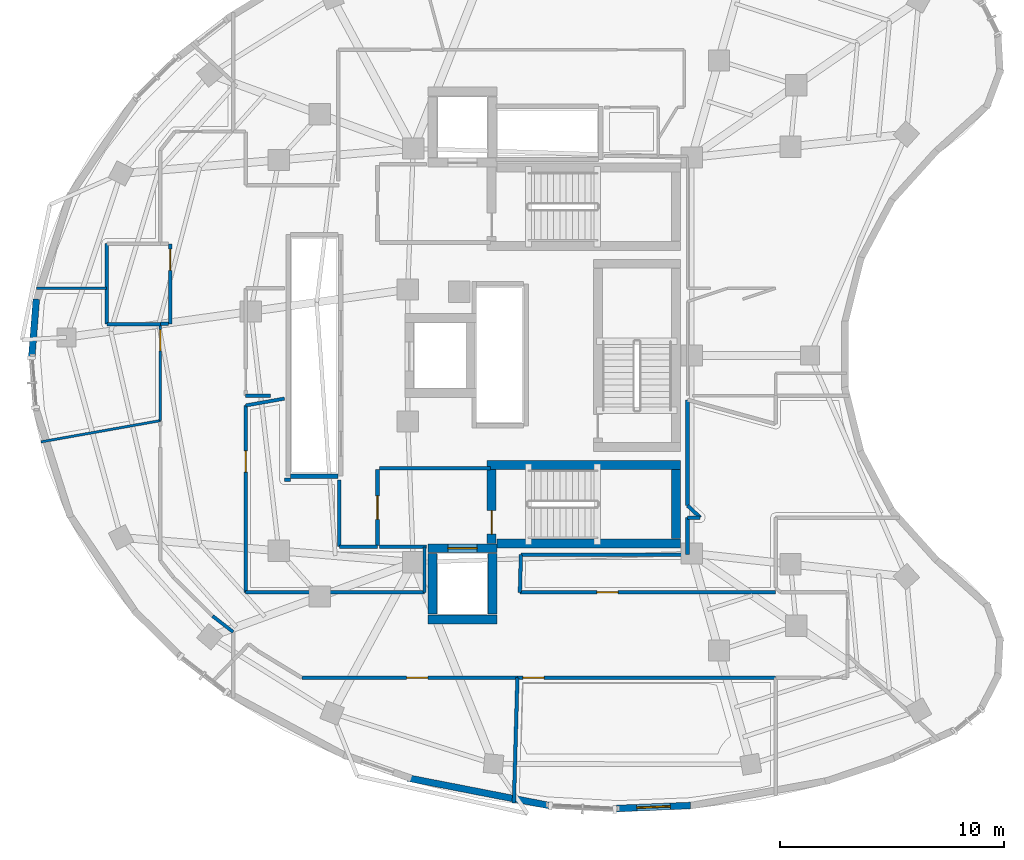
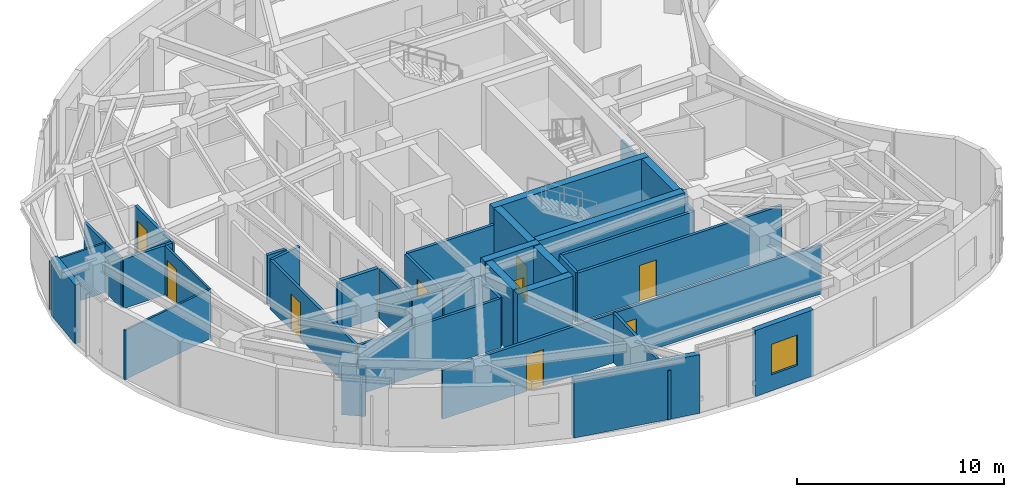
# One storey, part 7 of 13: 41 walls, 9 doors, 1 window, 10 openings.
"""IFC4 building model written with IfcOpenShell, lengths in metres."""

from ifc_helpers import new_model, si_unit, direction, frame, frame_2d, origin, place, context, subcontext, project, spatial, rectangle, extrude, material, layer, layer_set, type_object, element, fill, save


model = new_model("IFC4")

# Units and contexts
model_context = context("Model", 3, precision=1e-05, world=origin(), true_north=direction((0.0, 1.0)))
body_context = subcontext(model_context, "Body", "Model", "MODEL_VIEW")
ifc_project = project(units=[si_unit("LENGTHUNIT", "METRE"), si_unit("AREAUNIT", "SQUARE_METRE"), si_unit("VOLUMEUNIT", "CUBIC_METRE"), si_unit("PLANEANGLEUNIT", "RADIAN"), si_unit("MASSUNIT", "GRAM", prefix="KILO")], contexts=[model_context])

# Site, building, storey
site_placement = place(None, origin())
site = spatial("IfcSite", under=ifc_project, at=site_placement, CompositionType="ELEMENT")
building_placement = place(site_placement, origin())
building = spatial("IfcBuilding", under=site, at=building_placement, Name="Korentha Bioscience Tower", CompositionType="ELEMENT")
storey_placement = place(building_placement, frame((0.0, 0.0, 260.39990234375)))
storey = spatial("IfcBuildingStorey", under=building, at=storey_placement, Name="L60", CompositionType="ELEMENT", Elevation=260.39990234375)

# Wall, opening, door
ifc_material_1 = material(Name="Double-Stud Acoustic Gypsum", Category="gypsum")
ifc_layer_1 = layer(ifc_material_1, 0.14990234375, Name="Double-Stud Acoustic Gypsum")
ifc_layer_set_1 = layer_set([ifc_layer_1], Name="Double-Stud Acoustic Gypsum (IW-L150)")
wall_type_1 = type_object("IfcWallType", Name="Acoustic Laboratory Partition Wall 150", PredefinedType="PARTITIONING", material=ifc_layer_set_1)
wall_1_placement = place(storey_placement, frame((17.610107421875, 16.409912109375, 0.0), z_axis=(0.0, 0.0, 1.0), x_axis=(0.0, 1.0, 0.0)))
wall_1 = element("IfcWall", 1, at=wall_1_placement, inside=storey, type_object=wall_type_1, Name="L60 Staff Pantry Kitchenette 03 Entrance Wall", PredefinedType="PARTITIONING", context=body_context, shape_type="SweptSolid", body=[
    extrude(rectangle(XDim=8.352783203125, YDim=0.14990234375, at=frame_2d((4.17626953125, 0.0))), origin(), (0.0, 0.0, 1.0), 2.91015625),
])
opening_1_placement = place(wall_1_placement, frame((5.371337890625, 0.0, 0.0)))
opening_1 = element("IfcOpeningElement", 2, at=opening_1_placement, cuts=wall_1, Name="Opening ID-10L", PredefinedType="OPENING", context=body_context, shape_type="SweptSolid", body=[
    extrude(rectangle(XDim=0.949951171875, YDim=2.14990234375, at=frame_2d((0.47509765625, 1.074951171875))), frame((0.0, 0.08984375, 0.0), z_axis=(0.0, -1.0, 0.0), x_axis=(1.0, 0.0, 0.0)), (0.0, 0.0, 1.0), 0.1796875),
])
ifc_material_2 = material(Name="Phenolic Laminate Timber Core", Category="wood")
door_type_1 = type_object("IfcDoorType", Name="Laboratory Single Leaf Door 950x2150 Left", OperationType="SINGLE_SWING_LEFT", PredefinedType="DOOR", material=ifc_material_2)
door_1_placement = place(opening_1_placement, origin())
door_1 = element("IfcDoor", 3, at=door_1_placement, inside=storey, type_object=door_type_1, Name="L60 Staff Pantry Kitchenette 03 Door", OperationType="SINGLE_SWING_LEFT", OverallHeight=2.14990234375, OverallWidth=0.949951171875, PredefinedType="DOOR", context=body_context, shape_type="SweptSolid", body=[
    extrude(rectangle(XDim=0.949951171875, YDim=2.14990234375, at=frame_2d((0.47509765625, 1.074951171875))), frame((0.0, 0.02490234375, 0.0), z_axis=(0.0, -1.0, 0.0), x_axis=(1.0, 0.0, 0.0)), (0.0, 0.0, 1.0), 0.050048828125),
])
fill(opening_1, door_1)

wall_2_placement = place(storey_placement, frame((29.764892578125, 12.590087890625, 0.0), z_axis=(0.0, 0.0, 1.0), x_axis=(1.0, 0.0, 0.0)))
wall_2 = element("IfcWall", 4, at=wall_2_placement, inside=storey, type_object=wall_type_1, Name="L60 Mass-Spectrometry Analytical Suite 05 Entrance Wall", PredefinedType="PARTITIONING", context=body_context, shape_type="SweptSolid", body=[
    extrude(rectangle(XDim=11.533203125, YDim=0.14990234375, at=frame_2d((5.7666015625, 0.0))), origin(), (0.0, 0.0, 1.0), 2.91015625),
])
opening_2_placement = place(wall_2_placement, frame((0.239990234375, 0.0, 0.0)))
opening_2 = element("IfcOpeningElement", 5, at=opening_2_placement, cuts=wall_2, Name="Opening ID-10L", PredefinedType="OPENING", context=body_context, shape_type="SweptSolid", body=[
    extrude(rectangle(XDim=0.949951171875, YDim=2.14990234375, at=frame_2d((0.47509765625, 1.074951171875))), frame((0.0, 0.08984375, 0.0), z_axis=(0.0, -1.0, 0.0), x_axis=(1.0, 0.0, 0.0)), (0.0, 0.0, 1.0), 0.1796875),
])
door_2_placement = place(opening_2_placement, origin())
door_2 = element("IfcDoor", 6, at=door_2_placement, inside=storey, type_object=door_type_1, Name="L60 Mass-Spectrometry Analytical Suite 05 Door", OperationType="SINGLE_SWING_LEFT", OverallHeight=2.14990234375, OverallWidth=0.949951171875, PredefinedType="DOOR", context=body_context, shape_type="SweptSolid", body=[
    extrude(rectangle(XDim=0.949951171875, YDim=2.14990234375, at=frame_2d((0.47509765625, 1.074951171875))), frame((0.0, 0.02490234375, 0.0), z_axis=(0.0, -1.0, 0.0), x_axis=(1.0, 0.0, 0.0)), (0.0, 0.0, 1.0), 0.050048828125),
])
fill(opening_2, door_2)

# Walls
wall_3_placement = place(storey_placement, frame((16.128173828125, 15.348876953125, 0.0), z_axis=(0.0, 0.0, 1.0), x_axis=(0.790536936783, -0.612414362651, 0.0)))
element("IfcWall", 7, at=wall_3_placement, inside=storey, type_object=wall_type_1, Name="L60 Interior Partition 027", PredefinedType="PARTITIONING", context=body_context, shape_type="SweptSolid", body=[
    extrude(rectangle(XDim=1.16357421875, YDim=0.14990234375, at=frame_2d((0.581787109375, 0.0))), origin(), (0.0, 0.0, 1.0), 2.91015625),
])
wall_4_placement = place(storey_placement, frame((19.35009765625, 21.43994140625, 0.0), z_axis=(0.0, 0.0, 1.0), x_axis=(1.0, 0.0, 0.0)))
element("IfcWall", 8, at=wall_4_placement, inside=storey, type_object=wall_type_1, Name="L60 Interior Partition 029", PredefinedType="PARTITIONING", context=body_context, shape_type="SweptSolid", body=[
    extrude(rectangle(XDim=0.27001953125, YDim=0.14990234375, at=frame_2d((0.135009765625, 0.0))), origin(), (0.0, 0.0, 1.0), 2.91015625),
])
wall_5_placement = place(storey_placement, frame((21.7900390625, 21.43994140625, 0.0), z_axis=(0.0, 0.0, 1.0), x_axis=(0.0, -1.0, 0.0)))
element("IfcWall", 9, at=wall_5_placement, inside=storey, type_object=wall_type_1, Name="L60 Interior Partition 030", PredefinedType="PARTITIONING", context=body_context, shape_type="SweptSolid", body=[
    extrude(rectangle(XDim=2.989990234375, YDim=0.14990234375, at=frame_2d((1.4951171875, 0.0))), origin(), (0.0, 0.0, 1.0), 2.91015625),
])
wall_6_placement = place(storey_placement, frame((21.800048828125, 18.43994140625, 0.0), z_axis=(0.0, 0.0, 1.0), x_axis=(1.0, 0.0, 0.0)))
element("IfcWall", 10, at=wall_6_placement, inside=storey, type_object=wall_type_1, Name="L60 Interior Partition 031", PredefinedType="PARTITIONING", context=body_context, shape_type="SweptSolid", body=[
    extrude(rectangle(XDim=1.68994140625, YDim=0.14990234375, at=frame_2d((0.844970703125, 0.0))), origin(), (0.0, 0.0, 1.0), 2.91015625),
])
wall_7_placement = place(storey_placement, frame((25.60009765625, 18.435791015625, 0.0), z_axis=(0.0, 0.0, 1.0), x_axis=(0.0, -1.0, 0.0)))
element("IfcWall", 11, at=wall_7_placement, inside=storey, type_object=wall_type_1, Name="L60 Interior Partition 032", PredefinedType="PARTITIONING", context=body_context, shape_type="SweptSolid", body=[
    extrude(rectangle(XDim=2.02587890625, YDim=0.14990234375, at=frame_2d((1.012939453125, 0.0))), origin(), (0.0, 0.0, 1.0), 2.91015625),
])
wall_8_placement = place(storey_placement, frame((25.60009765625, 16.409912109375, 0.0), z_axis=(0.0, 0.0, 1.0), x_axis=(-1.0, 0.0, 0.0)))
element("IfcWall", 12, at=wall_8_placement, inside=storey, type_object=wall_type_1, Name="L60 Interior Partition 033", PredefinedType="PARTITIONING", context=body_context, shape_type="SweptSolid", body=[
    extrude(rectangle(XDim=7.989990234375, YDim=0.14990234375, at=frame_2d((3.9951171875, 0.0))), origin(), (0.0, 0.0, 1.0), 2.91015625),
])
wall_9_placement = place(storey_placement, frame((17.610107421875, 24.7626953125, 0.0), z_axis=(0.0, 0.0, 1.0), x_axis=(0.984503916892, 0.175362589008, 0.0)))
element("IfcWall", 13, at=wall_9_placement, inside=storey, type_object=wall_type_1, Name="L60 Interior Partition 034", PredefinedType="PARTITIONING", context=body_context, shape_type="SweptSolid", body=[
    extrude(rectangle(XDim=1.757080078125, YDim=0.14990234375, at=frame_2d((0.87841796875, 0.0))), origin(), (0.0, 0.0, 1.0), 2.91015625),
])

# Wall, opening, door
ifc_material_3 = material(Name="Fire-Rated Framed Glass", Category="glass")
ifc_layer_2 = layer(ifc_material_3, 0.110107421875, Name="Fire-Rated Framed Glass")
ifc_layer_set_2 = layer_set([ifc_layer_2], Name="Fire-Rated Framed Glass (IW-G110)")
wall_type_2 = type_object("IfcWallType", Name="Demountable Glazed Office Partition 110", PredefinedType="MOVABLE", material=ifc_layer_set_2)
wall_10_placement = place(storey_placement, frame((13.7900390625, 28.389892578125, 0.0), z_axis=(0.0, 0.0, 1.0), x_axis=(0.0, -1.0, 0.0)))
wall_10 = element("IfcWall", 14, at=wall_10_placement, inside=storey, type_object=wall_type_2, Name="L60 Principal Investigator Office 01 Entrance Wall", PredefinedType="MOVABLE", context=body_context, shape_type="SweptSolid", body=[
    extrude(rectangle(XDim=4.3037109375, YDim=0.110107421875, at=frame_2d((2.15185546875, 0.0))), origin(), (0.0, 0.0, 1.0), 2.91015625),
])
opening_3_placement = place(wall_10_placement, frame((0.239990234375, 0.0, 0.0)))
opening_3 = element("IfcOpeningElement", 15, at=opening_3_placement, cuts=wall_10, Name="Opening ID-10L", PredefinedType="OPENING", context=body_context, shape_type="SweptSolid", body=[
    extrude(rectangle(XDim=0.949951171875, YDim=2.14990234375, at=frame_2d((0.47509765625, 1.074951171875))), frame((0.0, 0.06982421875, 0.0), z_axis=(0.0, -1.0, 0.0), x_axis=(1.0, 0.0, 0.0)), (0.0, 0.0, 1.0), 0.139892578125),
])
door_3_placement = place(opening_3_placement, origin())
door_3 = element("IfcDoor", 16, at=door_3_placement, inside=storey, type_object=door_type_1, Name="L60 Principal Investigator Office 01 Door", OperationType="SINGLE_SWING_LEFT", OverallHeight=2.14990234375, OverallWidth=0.949951171875, PredefinedType="DOOR", context=body_context, shape_type="SweptSolid", body=[
    extrude(rectangle(XDim=0.949951171875, YDim=2.14990234375, at=frame_2d((0.47509765625, 1.074951171875))), frame((0.0, 0.02490234375, 0.0), z_axis=(0.0, -1.0, 0.0), x_axis=(1.0, 0.0, 0.0)), (0.0, 0.0, 1.0), 0.050048828125),
])
fill(opening_3, door_3)

# Walls
wall_11_placement = place(storey_placement, frame((8.259033203125, 29.998046875, 0.0), z_axis=(0.0, 0.0, 1.0), x_axis=(1.0, 0.0, 0.0)))
element("IfcWall", 17, at=wall_11_placement, inside=storey, type_object=wall_type_2, Name="L60 Interior Partition 022", PredefinedType="MOVABLE", context=body_context, shape_type="SweptSolid", body=[
    extrude(rectangle(XDim=3.130859375, YDim=0.110107421875, at=frame_2d((1.5654296875, 0.0))), origin(), (0.0, 0.0, 1.0), 2.91015625),
])
wall_12_placement = place(storey_placement, frame((13.7900390625, 24.086181640625, 0.0), z_axis=(0.0, 0.0, 1.0), x_axis=(-0.984501864113, -0.175374113137, 0.0)))
element("IfcWall", 18, at=wall_12_placement, inside=storey, type_object=wall_type_2, Name="L60 Interior Partition 023", PredefinedType="MOVABLE", context=body_context, shape_type="SweptSolid", body=[
    extrude(rectangle(XDim=5.416748046875, YDim=0.110107421875, at=frame_2d((2.70849609375, 0.0))), origin(), (0.0, 0.0, 1.0), 2.91015625),
])

# Wall, opening, door
ifc_material_4 = material(Name="Gypsum-Clad Steel Stud", Category="steel")
ifc_layer_3 = layer(ifc_material_4, 0.159912109375, Name="Gypsum-Clad Steel Stud")
ifc_layer_set_3 = layer_set([ifc_layer_3], Name="Gypsum-Clad Steel Stud (IW-C160)")
wall_type_3 = type_object("IfcWallType", Name="Fire-Rated Corridor Partition Wall 160", PredefinedType="PARTITIONING", material=ifc_layer_set_3)
wall_13_placement = place(storey_placement, frame((23.5, 18.5, 0.0), z_axis=(0.0, 0.0, 1.0), x_axis=(0.0, 1.0, 0.0)))
wall_13 = element("IfcWall", 19, at=wall_13_placement, inside=storey, type_object=wall_type_3, Name="L60 FFLS-CW Rated Enclosure Wall", PredefinedType="PARTITIONING", context=body_context, shape_type="SweptSolid", body=[
    extrude(rectangle(XDim=3.39990234375, YDim=0.159912109375, at=frame_2d((1.699951171875, 0.0))), origin(), (0.0, 0.0, 1.0), 2.91015625),
])
opening_4_placement = place(wall_13_placement, frame((1.175048828125, 0.0, 0.0)))
opening_4 = element("IfcOpeningElement", 20, at=opening_4_placement, cuts=wall_13, Name="Opening FD-90L", PredefinedType="OPENING", context=body_context, shape_type="SweptSolid", body=[
    extrude(rectangle(XDim=1.050048828125, YDim=2.14990234375, at=frame_2d((0.52490234375, 1.074951171875))), frame((0.0, 0.0947265625, 0.0), z_axis=(0.0, -1.0, 0.0), x_axis=(1.0, 0.0, 0.0)), (0.0, 0.0, 1.0), 0.189697265625),
])
ifc_material_5 = material(Name="Powder-Coated Fire-Rated Steel", Category="steel")
door_type_2 = type_object("IfcDoorType", Name="Stairwell Fire Exit Door 1050x2150 Left", OperationType="SINGLE_SWING_LEFT", PredefinedType="DOOR", material=ifc_material_5)
door_4_placement = place(opening_4_placement, origin())
door_4 = element("IfcDoor", 21, at=door_4_placement, inside=storey, type_object=door_type_2, Name="L60 South Firefighting Lobby Door", OperationType="SINGLE_SWING_LEFT", OverallHeight=2.14990234375, OverallWidth=1.050048828125, PredefinedType="DOOR", context=body_context, shape_type="SweptSolid", body=[
    extrude(rectangle(XDim=1.050048828125, YDim=2.14990234375, at=frame_2d((0.52490234375, 1.074951171875))), frame((0.0, 0.02490234375, 0.0), z_axis=(0.0, -1.0, 0.0), x_axis=(1.0, 0.0, 0.0)), (0.0, 0.0, 1.0), 0.050048828125),
])
fill(opening_4, door_4)

# Walls
wall_14_placement = place(storey_placement, frame((23.580078125, 21.949951171875, 0.0), z_axis=(0.0, 0.0, 1.0), x_axis=(1.0, 0.0, 0.0)))
element("IfcWall", 22, at=wall_14_placement, inside=storey, type_object=wall_type_3, Name="L60 Firefighting Lobby Return Wall FFLS-N", PredefinedType="PARTITIONING", context=body_context, shape_type="SweptSolid", body=[
    extrude(rectangle(XDim=4.969970703125, YDim=0.159912109375, at=frame_2d((2.48486328125, 0.0))), origin(), (0.0, 0.0, 1.0), 2.91015625),
])
wall_15_placement = place(storey_placement, frame((23.580078125, 18.449951171875, 0.0), z_axis=(0.0, 0.0, 1.0), x_axis=(1.0, 0.0, 0.0)))
element("IfcWall", 23, at=wall_15_placement, inside=storey, type_object=wall_type_3, Name="L60 Firefighting Lobby Return Wall FFLS-S", PredefinedType="PARTITIONING", context=body_context, shape_type="SweptSolid", body=[
    extrude(rectangle(XDim=2.119873046875, YDim=0.159912109375, at=frame_2d((1.06005859375, 0.0))), origin(), (0.0, 0.0, 1.0), 2.91015625),
])

# Wall, opening, door
wall_16_placement = place(storey_placement, frame((14.239990234375, 31.989990234375, 0.0), z_axis=(0.0, 0.0, 1.0), x_axis=(0.0, -1.0, 0.0)))
wall_16 = element("IfcWall", 24, at=wall_16_placement, inside=storey, type_object=wall_type_3, Name="L60 Reclaimed Bank-1 North Data Closet Entrance Wall", PredefinedType="PARTITIONING", context=body_context, shape_type="SweptSolid", body=[
    extrude(rectangle(XDim=3.580078125, YDim=0.159912109375, at=frame_2d((1.7900390625, 0.0))), origin(), (0.0, 0.0, 1.0), 2.91015625),
])
opening_5_placement = place(wall_16_placement, frame((0.239990234375, 0.0, 0.0)))
opening_5 = element("IfcOpeningElement", 25, at=opening_5_placement, cuts=wall_16, Name="Opening ID-10R", PredefinedType="OPENING", context=body_context, shape_type="SweptSolid", body=[
    extrude(rectangle(XDim=0.949951171875, YDim=2.14990234375, at=frame_2d((0.47509765625, 1.074951171875))), frame((0.0, 0.0947265625, 0.0), z_axis=(0.0, -1.0, 0.0), x_axis=(1.0, 0.0, 0.0)), (0.0, 0.0, 1.0), 0.189697265625),
])
door_type_3 = type_object("IfcDoorType", Name="Laboratory Single Leaf Door 950x2150 Right", OperationType="SINGLE_SWING_RIGHT", PredefinedType="DOOR", material=ifc_material_2)
door_5_placement = place(opening_5_placement, origin())
door_5 = element("IfcDoor", 26, at=door_5_placement, inside=storey, type_object=door_type_3, Name="L60 Reclaimed Bank-1 North Data Closet Door", OperationType="SINGLE_SWING_RIGHT", OverallHeight=2.14990234375, OverallWidth=0.949951171875, PredefinedType="DOOR", context=body_context, shape_type="SweptSolid", body=[
    extrude(rectangle(XDim=0.949951171875, YDim=2.14990234375, at=frame_2d((0.47509765625, 1.074951171875))), frame((0.0, 0.02490234375, 0.0), z_axis=(0.0, -1.0, 0.0), x_axis=(1.0, 0.0, 0.0)), (0.0, 0.0, 1.0), 0.050048828125),
])
fill(opening_5, door_5)

wall_17_placement = place(storey_placement, frame((20.114013671875, 12.590087890625, 0.0), z_axis=(0.0, 0.0, 1.0), x_axis=(1.0, 0.0, 0.0)))
wall_17 = element("IfcWall", 27, at=wall_17_placement, inside=storey, type_object=wall_type_3, Name="L60 Biospecimen Archive Store 04 Entrance Wall", PredefinedType="PARTITIONING", context=body_context, shape_type="SweptSolid", body=[
    extrude(rectangle(XDim=9.640869140625, YDim=0.159912109375, at=frame_2d((4.8203125, 0.0))), origin(), (0.0, 0.0, 1.0), 2.91015625),
])
opening_6_placement = place(wall_17_placement, frame((4.689453125, 0.0, 0.0)))
opening_6 = element("IfcOpeningElement", 28, at=opening_6_placement, cuts=wall_17, Name="Opening ID-10R", PredefinedType="OPENING", context=body_context, shape_type="SweptSolid", body=[
    extrude(rectangle(XDim=0.949951171875, YDim=2.14990234375, at=frame_2d((0.47509765625, 1.074951171875))), frame((0.0, 0.0947265625, 0.0), z_axis=(0.0, -1.0, 0.0), x_axis=(1.0, 0.0, 0.0)), (0.0, 0.0, 1.0), 0.189697265625),
])
door_6_placement = place(opening_6_placement, origin())
door_6 = element("IfcDoor", 29, at=door_6_placement, inside=storey, type_object=door_type_3, Name="L60 Biospecimen Archive Store 04 Door", OperationType="SINGLE_SWING_RIGHT", OverallHeight=2.14990234375, OverallWidth=0.949951171875, PredefinedType="DOOR", context=body_context, shape_type="SweptSolid", body=[
    extrude(rectangle(XDim=0.949951171875, YDim=2.14990234375, at=frame_2d((0.47509765625, 1.074951171875))), frame((0.0, 0.02490234375, 0.0), z_axis=(0.0, -1.0, 0.0), x_axis=(1.0, 0.0, 0.0)), (0.0, 0.0, 1.0), 0.050048828125),
])
fill(opening_6, door_6)

wall_18_placement = place(storey_placement, frame((41.298095703125, 16.409912109375, 0.0), z_axis=(0.0, 0.0, 1.0), x_axis=(-1.0, 0.0, 0.0)))
wall_18 = element("IfcWall", 30, at=wall_18_placement, inside=storey, type_object=wall_type_3, Name="L60 Solvent and Chemical Weighing Room 07 Entrance Wall", PredefinedType="PARTITIONING", context=body_context, shape_type="SweptSolid", body=[
    extrude(rectangle(XDim=11.432373046875, YDim=0.159912109375, at=frame_2d((5.71630859375, 0.0))), origin(), (0.0, 0.0, 1.0), 2.91015625),
])
opening_7_placement = place(wall_18_placement, frame((7.034423828125, 0.0, 0.0)))
opening_7 = element("IfcOpeningElement", 31, at=opening_7_placement, cuts=wall_18, Name="Opening ID-10L", PredefinedType="OPENING", context=body_context, shape_type="SweptSolid", body=[
    extrude(rectangle(XDim=0.949951171875, YDim=2.14990234375, at=frame_2d((0.47509765625, 1.074951171875))), frame((0.0, 0.0947265625, 0.0), z_axis=(0.0, -1.0, 0.0), x_axis=(1.0, 0.0, 0.0)), (0.0, 0.0, 1.0), 0.189697265625),
])
door_7_placement = place(opening_7_placement, origin())
door_7 = element("IfcDoor", 32, at=door_7_placement, inside=storey, type_object=door_type_1, Name="L60 Solvent and Chemical Weighing Room 07 Door", OperationType="SINGLE_SWING_LEFT", OverallHeight=2.14990234375, OverallWidth=0.949951171875, PredefinedType="DOOR", context=body_context, shape_type="SweptSolid", body=[
    extrude(rectangle(XDim=0.949951171875, YDim=2.14990234375, at=frame_2d((0.47509765625, 1.074951171875))), frame((0.0, 0.02490234375, 0.0), z_axis=(0.0, -1.0, 0.0), x_axis=(1.0, 0.0, 0.0)), (0.0, 0.0, 1.0), 0.050048828125),
])
fill(opening_7, door_7)

# Walls
wall_19_placement = place(storey_placement, frame((14.156982421875, 28.409912109375, 0.0), z_axis=(0.0, 0.0, 1.0), x_axis=(-1.0, 0.0, 0.0)))
element("IfcWall", 33, at=wall_19_placement, inside=storey, type_object=wall_type_3, Name="L60 Interior Partition 018", PredefinedType="PARTITIONING", context=body_context, shape_type="SweptSolid", body=[
    extrude(rectangle(XDim=0.35693359375, YDim=0.159912109375, at=frame_2d((0.178466796875, 0.0))), origin(), (0.0, 0.0, 1.0), 2.91015625),
])
wall_20_placement = place(storey_placement, frame((13.7900390625, 28.39990234375, 0.0), z_axis=(0.0, 0.0, 1.0), x_axis=(-1.0, 0.0, 0.0)))
element("IfcWall", 34, at=wall_20_placement, inside=storey, type_object=wall_type_3, Name="L60 Interior Partition 019", PredefinedType="PARTITIONING", context=body_context, shape_type="SweptSolid", body=[
    extrude(rectangle(XDim=2.39013671875, YDim=0.159912109375, at=frame_2d((1.195068359375, 0.0))), origin(), (0.0, 0.0, 1.0), 2.91015625),
])
wall_21_placement = place(storey_placement, frame((11.39990234375, 28.39990234375, 0.0), z_axis=(0.0, 0.0, 1.0), x_axis=(0.0, 1.0, 0.0)))
element("IfcWall", 35, at=wall_21_placement, inside=storey, type_object=wall_type_3, Name="L60 Interior Partition 020", PredefinedType="PARTITIONING", context=body_context, shape_type="SweptSolid", body=[
    extrude(rectangle(XDim=3.60009765625, YDim=0.159912109375, at=frame_2d((1.800048828125, 0.0))), origin(), (0.0, 0.0, 1.0), 2.91015625),
])
wall_22_placement = place(storey_placement, frame((29.7548828125, 12.590087890625, 0.0), z_axis=(0.0, 0.0, 1.0), x_axis=(-0.02789409051, -0.999610884152, 0.0)))
element("IfcWall", 36, at=wall_22_placement, inside=storey, type_object=wall_type_3, Name="L60 Interior Partition 039", PredefinedType="PARTITIONING", context=body_context, shape_type="SweptSolid", body=[
    extrude(rectangle(XDim=5.6015625, YDim=0.159912109375, at=frame_2d((2.80078125, 0.0))), origin(), (0.0, 0.0, 1.0), 2.91015625),
])
wall_23_placement = place(storey_placement, frame((29.91259765625, 18.090087890625, 0.0), z_axis=(0.0, 0.0, 1.0), x_axis=(1.0, 0.0, 0.0)))
element("IfcWall", 37, at=wall_23_placement, inside=storey, type_object=wall_type_3, Name="L60 Interior Partition 043", PredefinedType="PARTITIONING", context=body_context, shape_type="SweptSolid", body=[
    extrude(rectangle(XDim=7.4375, YDim=0.159912109375, at=frame_2d((3.71875, 0.0))), origin(), (0.0, 0.0, 1.0), 2.91015625),
])
wall_24_placement = place(storey_placement, frame((37.360107421875, 18.10009765625, 0.0), z_axis=(0.0, 0.0, 1.0), x_axis=(0.0, 1.0, 0.0)))
element("IfcWall", 38, at=wall_24_placement, inside=storey, type_object=wall_type_3, Name="L60 Interior Partition 044", PredefinedType="PARTITIONING", context=body_context, shape_type="SweptSolid", body=[
    extrude(rectangle(XDim=1.64794921875, YDim=0.159912109375, at=frame_2d((0.823974609375, 0.0))), origin(), (0.0, 0.0, 1.0), 2.91015625),
])
wall_25_placement = place(storey_placement, frame((37.360107421875, 19.748046875, 0.0), z_axis=(0.0, 0.0, 1.0), x_axis=(1.0, 0.0, 0.0)))
element("IfcWall", 39, at=wall_25_placement, inside=storey, type_object=wall_type_3, Name="L60 Interior Partition 045", PredefinedType="PARTITIONING", context=body_context, shape_type="SweptSolid", body=[
    extrude(rectangle(XDim=0.569091796875, YDim=0.159912109375, at=frame_2d((0.28466796875, 0.0))), origin(), (0.0, 0.0, 1.0), 2.91015625),
])
wall_26_placement = place(storey_placement, frame((37.931884765625, 19.7548828125, 0.0), z_axis=(0.0, 0.0, 1.0), x_axis=(-0.731345965406, 0.682006656041, 0.0)))
element("IfcWall", 40, at=wall_26_placement, inside=storey, type_object=wall_type_3, Name="L60 Interior Partition 046", PredefinedType="PARTITIONING", context=body_context, shape_type="SweptSolid", body=[
    extrude(rectangle(XDim=0.78173828125, YDim=0.159912109375, at=frame_2d((0.390869140625, 0.0))), origin(), (0.0, 0.0, 1.0), 2.91015625),
])
wall_27_placement = place(storey_placement, frame((37.360107421875, 20.2880859375, 0.0), z_axis=(0.0, 0.0, 1.0), x_axis=(0.0, 1.0, 0.0)))
element("IfcWall", 41, at=wall_27_placement, inside=storey, type_object=wall_type_3, Name="L60 Interior Partition 047", PredefinedType="PARTITIONING", context=body_context, shape_type="SweptSolid", body=[
    extrude(rectangle(XDim=4.7265625, YDim=0.159912109375, at=frame_2d((2.36328125, 0.0))), origin(), (0.0, 0.0, 1.0), 2.91015625),
])
wall_28_placement = place(storey_placement, frame((29.86572265625, 16.409912109375, 0.0), z_axis=(0.0, 0.0, 1.0), x_axis=(0.027888015446, 0.999611053658, 0.0)))
element("IfcWall", 42, at=wall_28_placement, inside=storey, type_object=wall_type_3, Name="L60 Interior Partition 053", PredefinedType="PARTITIONING", context=body_context, shape_type="SweptSolid", body=[
    extrude(rectangle(XDim=1.680908203125, YDim=0.159912109375, at=frame_2d((0.84033203125, 0.0))), origin(), (0.0, 0.0, 1.0), 2.91015625),
])
wall_29_placement = place(storey_placement, frame((18.70849609375, 25.201904296875, 0.0), z_axis=(0.0, 0.0, 1.0), x_axis=(-1.0, 0.0, 0.0)))
element("IfcWall", 43, at=wall_29_placement, inside=storey, type_object=wall_type_3, Name="L60 Interior Partition 082", PredefinedType="PARTITIONING", context=body_context, shape_type="SweptSolid", body=[
    extrude(rectangle(XDim=1.098388671875, YDim=0.159912109375, at=frame_2d((0.54931640625, 0.0))), origin(), (0.0, 0.0, 1.0), 2.91015625),
])

# Wall, opening, window
ifc_material_6 = material(Name="Honed Limestone Precast Concrete C40", Category="masonry")
ifc_layer_4 = layer(ifc_material_6, 0.300048828125, Name="Honed Limestone Precast Concrete C40")
ifc_layer_set_4 = layer_set([ifc_layer_4], Name="Honed Limestone Precast Concrete C40 (EW-ST300)")
wall_type_4 = type_object("IfcWallType", Name="Honed Limestone Cavity Spandrel Wall 300", PredefinedType="STANDARD", material=ifc_layer_set_4)
wall_30_placement = place(storey_placement, frame((34.189697265625, 6.744140625, 0.0), z_axis=(0.0, 0.0, 1.0), x_axis=(0.999191145847, 0.040212610729, 0.0)))
wall_30 = element("IfcWall", 44, at=wall_30_placement, inside=storey, type_object=wall_type_4, Name="L60 Honed Limestone Spandrel Wall 32", PredefinedType="STANDARD", context=body_context, shape_type="SweptSolid", body=[
    extrude(rectangle(XDim=3.308837890625, YDim=0.300048828125, at=frame_2d((1.654296875, 0.0))), origin(), (0.0, 0.0, 1.0), 3.900146484375),
])
opening_8_placement = place(wall_30_placement, frame((0.904296875, 0.0, 0.949951171875)))
opening_8 = element("IfcOpeningElement", 45, at=opening_8_placement, cuts=wall_30, Name="Opening WN-02", PredefinedType="OPENING", context=body_context, shape_type="SweptSolid", body=[
    extrude(rectangle(XDim=1.5, YDim=1.800048828125, at=frame_2d((0.75, 0.89990234375))), frame((0.0, 0.1650390625, 0.0), z_axis=(0.0, -1.0, 0.0), x_axis=(1.0, 0.0, 0.0)), (0.0, 0.0, 1.0), 0.329833984375),
])
ifc_material_7 = material(Name="Thermally Broken Aluminium Triple Glazing", Category="aluminium")
window_type = type_object("IfcWindowType", Name="Acoustic Operable Office Window 1500x1800", PartitioningType="DOUBLE_PANEL_VERTICAL", PredefinedType="WINDOW", material=ifc_material_7)
window_placement = place(opening_8_placement, origin())
window = element("IfcWindow", 46, at=window_placement, inside=storey, type_object=window_type, Name="L60 Facade Window 32", OverallHeight=1.800048828125, OverallWidth=1.5, PartitioningType="DOUBLE_PANEL_VERTICAL", PredefinedType="WINDOW", context=body_context, shape_type="SweptSolid", body=[
    extrude(rectangle(XDim=1.5, YDim=1.800048828125, at=frame_2d((0.75, 0.89990234375))), frame((0.0, 0.030029296875, 0.0), z_axis=(0.0, -1.0, 0.0), x_axis=(1.0, 0.0, 0.0)), (0.0, 0.0, 1.0), 0.06005859375),
])
fill(opening_8, window)

# Walls
wall_31_placement = place(storey_placement, frame((8.24658203125, 29.517333984375, 0.0), z_axis=(0.0, 0.0, 1.0), x_axis=(-0.078109406708, -0.996944793147, 0.0)))
element("IfcWall", 47, at=wall_31_placement, inside=storey, type_object=wall_type_4, Name="L60 Limestone Perimeter Closure Wall 18", PredefinedType="STANDARD", context=body_context, shape_type="SweptSolid", body=[
    extrude(rectangle(XDim=2.6162109375, YDim=0.300048828125, at=frame_2d((1.30810546875, 0.0))), origin(), (0.0, 0.0, 1.0), 3.47021484375),
])
wall_32_placement = place(storey_placement, frame((24.846435546875, 8.10888671875, 0.0), z_axis=(0.0, 0.0, 1.0), x_axis=(0.981535331459, -0.191280927169, 0.0)))
element("IfcWall", 48, at=wall_32_placement, inside=storey, type_object=wall_type_4, Name="L60 Limestone Perimeter Closure Wall 29", PredefinedType="STANDARD", context=body_context, shape_type="SweptSolid", body=[
    extrude(rectangle(XDim=6.45068359375, YDim=0.300048828125, at=frame_2d((3.225341796875, 0.0))), origin(), (0.0, 0.0, 1.0), 3.47021484375),
])
ifc_material_8 = material(Name="Autoclaved Aerated Concrete Block C25", Category="concrete")
ifc_layer_5 = layer(ifc_material_8, 0.199951171875, Name="Autoclaved Aerated Concrete Block C25")
ifc_layer_set_5 = layer_set([ifc_layer_5], Name="Autoclaved Aerated Concrete Block C25 (IW-S200)")
wall_type_5 = type_object("IfcWallType", Name="Lift and Riser Shaft Enclosure Wall 200", PredefinedType="PARTITIONING", material=ifc_layer_set_5)
wall_33_placement = place(storey_placement, frame((19.6201171875, 21.60009765625, 0.0), z_axis=(0.0, 0.0, 1.0), x_axis=(1.0, 0.0, 0.0)))
element("IfcWall", 49, at=wall_33_placement, inside=storey, type_object=wall_type_5, Name="L60 Lift Bank MID Shaft Wall -Y", PredefinedType="PARTITIONING", context=body_context, shape_type="SweptSolid", body=[
    extrude(rectangle(XDim=2.10986328125, YDim=0.199951171875, at=frame_2d((1.054931640625, 0.0))), origin(), (0.0, 0.0, 1.0), 2.91015625),
])
ifc_material_9 = material(Name="Concrete C65", Category="concrete")
ifc_layer_6 = layer(ifc_material_9, 0.39990234375, Name="Concrete C65")
ifc_layer_set_6 = layer_set([ifc_layer_6], Name="Concrete C65 (CW-C65)")
wall_type_6 = type_object("IfcWallType", Name="Mid-Rise Core Shear Wall 400", PredefinedType="SHEAR", material=ifc_layer_set_6)
wall_34_placement = place(storey_placement, frame((28.85205078125, 18.60009765625, 0.0), z_axis=(0.0, 0.0, 1.0), x_axis=(1.0, 0.0, 0.0)))
element("IfcWall", 50, at=wall_34_placement, inside=storey, type_object=wall_type_6, Name="L60 Core Shear Wall ST2-S", PredefinedType="SHEAR", context=body_context, shape_type="SweptSolid", body=[
    extrude(rectangle(XDim=8.197998046875, YDim=0.39990234375, at=frame_2d((4.09912109375, 0.0))), origin(), (0.0, 0.0, 1.0), 3.900146484375),
])
wall_35_placement = place(storey_placement, frame((28.39990234375, 22.10009765625, 0.0), z_axis=(0.0, 0.0, 1.0), x_axis=(1.0, 0.0, 0.0)))
element("IfcWall", 51, at=wall_35_placement, inside=storey, type_object=wall_type_6, Name="L60 Core Shear Wall ST2-N", PredefinedType="SHEAR", context=body_context, shape_type="SweptSolid", body=[
    extrude(rectangle(XDim=8.650146484375, YDim=0.39990234375, at=frame_2d((4.3251953125, 0.0))), origin(), (0.0, 0.0, 1.0), 3.900146484375),
])
wall_36_placement = place(storey_placement, frame((36.85009765625, 18.81005859375, 0.0), z_axis=(0.0, 0.0, 1.0), x_axis=(0.0, 1.0, 0.0)))
element("IfcWall", 52, at=wall_36_placement, inside=storey, type_object=wall_type_6, Name="L60 Core Shear Wall ST2-E", PredefinedType="SHEAR", context=body_context, shape_type="SweptSolid", body=[
    extrude(rectangle(XDim=3.079833984375, YDim=0.39990234375, at=frame_2d((1.5400390625, 0.0))), origin(), (0.0, 0.0, 1.0), 3.900146484375),
])

# Wall, opening, door
wall_37_placement = place(storey_placement, frame((28.60009765625, 18.58203125, 0.0), z_axis=(0.0, 0.0, 1.0), x_axis=(0.0, 1.0, 0.0)))
wall_37 = element("IfcWall", 53, at=wall_37_placement, inside=storey, type_object=wall_type_6, Name="L60 Core Shear Wall ST2-W", PredefinedType="SHEAR", context=body_context, shape_type="SweptSolid", body=[
    extrude(rectangle(XDim=3.307861328125, YDim=0.39990234375, at=frame_2d((1.65380859375, 0.0))), origin(), (0.0, 0.0, 1.0), 3.900146484375),
])
opening_9_placement = place(wall_37_placement, frame((0.427978515625, 0.0, 0.0)))
opening_9 = element("IfcOpeningElement", 54, at=opening_9_placement, cuts=wall_37, Name="Opening FD-90L", PredefinedType="OPENING", context=body_context, shape_type="SweptSolid", body=[
    extrude(rectangle(XDim=1.050048828125, YDim=2.14990234375, at=frame_2d((0.52490234375, 1.074951171875))), frame((0.0, 0.21484375, 0.0), z_axis=(0.0, -1.0, 0.0), x_axis=(1.0, 0.0, 0.0)), (0.0, 0.0, 1.0), 0.4296875),
])
door_8_placement = place(opening_9_placement, origin())
door_8 = element("IfcDoor", 55, at=door_8_placement, inside=storey, type_object=door_type_2, Name="L60 ST-2 Fire Exit Stair Door", OperationType="SINGLE_SWING_LEFT", OverallHeight=2.14990234375, OverallWidth=1.050048828125, PredefinedType="DOOR", context=body_context, shape_type="SweptSolid", body=[
    extrude(rectangle(XDim=1.050048828125, YDim=2.14990234375, at=frame_2d((0.52490234375, 1.074951171875))), frame((0.0, 0.02490234375, 0.0), z_axis=(0.0, -1.0, 0.0), x_axis=(1.0, 0.0, 0.0)), (0.0, 0.0, 1.0), 0.050048828125),
])
fill(opening_9, door_8)

# Wall
wall_38_placement = place(storey_placement, frame((25.75, 15.199951171875, 0.0), z_axis=(0.0, 0.0, 1.0), x_axis=(1.0, 0.0, 0.0)))
element("IfcWall", 56, at=wall_38_placement, inside=storey, type_object=wall_type_6, Name="L60 Core Shear Wall FFL1-S", PredefinedType="SHEAR", context=body_context, shape_type="SweptSolid", body=[
    extrude(rectangle(XDim=3.10009765625, YDim=0.39990234375, at=frame_2d((1.550048828125, 0.0))), origin(), (0.0, 0.0, 1.0), 3.900146484375),
])

# Wall, opening, door
wall_39_placement = place(storey_placement, frame((25.75, 18.3798828125, 0.0), z_axis=(0.0, 0.0, 1.0), x_axis=(1.0, 0.0, 0.0)))
wall_39 = element("IfcWall", 57, at=wall_39_placement, inside=storey, type_object=wall_type_6, Name="L60 Core Shear Wall FFL1-N", PredefinedType="SHEAR", context=body_context, shape_type="SweptSolid", body=[
    extrude(rectangle(XDim=3.10009765625, YDim=0.39990234375, at=frame_2d((1.550048828125, 0.0))), origin(), (0.0, 0.0, 1.0), 3.900146484375),
])
opening_10_placement = place(wall_39_placement, frame((0.89990234375, 0.0, 0.0)))
opening_10 = element("IfcOpeningElement", 58, at=opening_10_placement, cuts=wall_39, Name="Opening LD-13", PredefinedType="OPENING", context=body_context, shape_type="SweptSolid", body=[
    extrude(rectangle(XDim=1.300048828125, YDim=2.199951171875, at=frame_2d((0.64990234375, 1.10009765625))), frame((0.0, 0.21484375, 0.0), z_axis=(0.0, -1.0, 0.0), x_axis=(1.0, 0.0, 0.0)), (0.0, 0.0, 1.0), 0.4296875),
])
ifc_material_10 = material(Name="Brushed Stainless Steel 316", Category="steel")
door_type_4 = type_object("IfcDoorType", Name="Service & Firefighting Lift Landing Door 1300x2300", OperationType="DOUBLE_DOOR_SLIDING", PredefinedType="DOOR", material=ifc_material_10)
door_9_placement = place(opening_10_placement, origin())
door_9 = element("IfcDoor", 59, at=door_9_placement, inside=storey, type_object=door_type_4, Name="L60 FFL-1 Sliding Lift Landing Door", OperationType="DOUBLE_DOOR_SLIDING", OverallHeight=2.199951171875, OverallWidth=1.300048828125, PredefinedType="DOOR", context=body_context, shape_type="SweptSolid", body=[
    extrude(rectangle(XDim=1.300048828125, YDim=2.199951171875, at=frame_2d((0.64990234375, 1.10009765625))), frame((0.0, 0.02490234375, 0.0), z_axis=(0.0, -1.0, 0.0), x_axis=(1.0, 0.0, 0.0)), (0.0, 0.0, 1.0), 0.050048828125),
])
fill(opening_10, door_9)

# Walls
for number, where, z_axis, x_axis, name in (
    (60, (25.949951171875, 15.43994140625, 0.0), (0.0, 0.0, 1.0), (0.0, 1.0, 0.0), "L60 Core Shear Wall FFL1-W"),
    (61, (28.64990234375, 15.43994140625, 0.0), (0.0, 0.0, 1.0), (0.0, 1.0, 0.0), "L60 Core Shear Wall FFL1-E"),
):
    element("IfcWall", number, at=place(storey_placement, frame(where, z_axis=z_axis, x_axis=x_axis)), inside=storey, type_object=wall_type_6, Name=name, PredefinedType="SHEAR", context=body_context, shape_type="SweptSolid", body=[
        extrude(rectangle(XDim=2.699951171875, YDim=0.39990234375, at=frame_2d((1.35009765625, 0.0))), origin(), (0.0, 0.0, 1.0), 3.900146484375),
    ])

save(model, "model.ifc")
